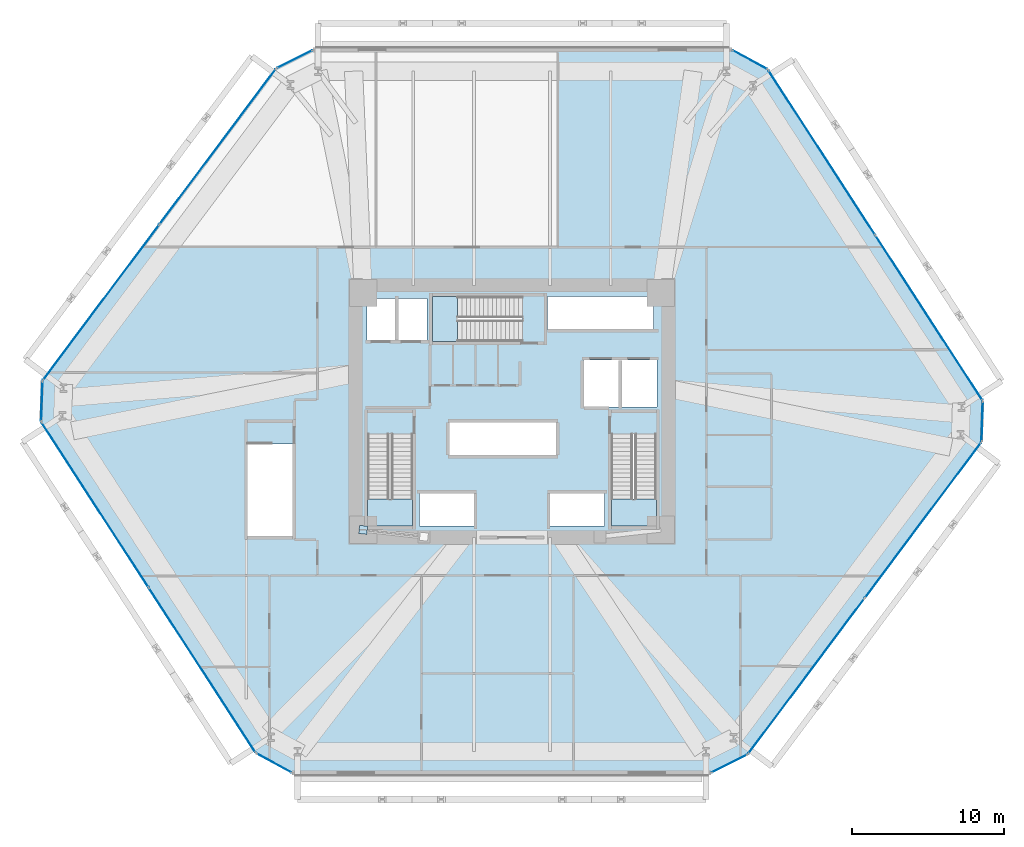
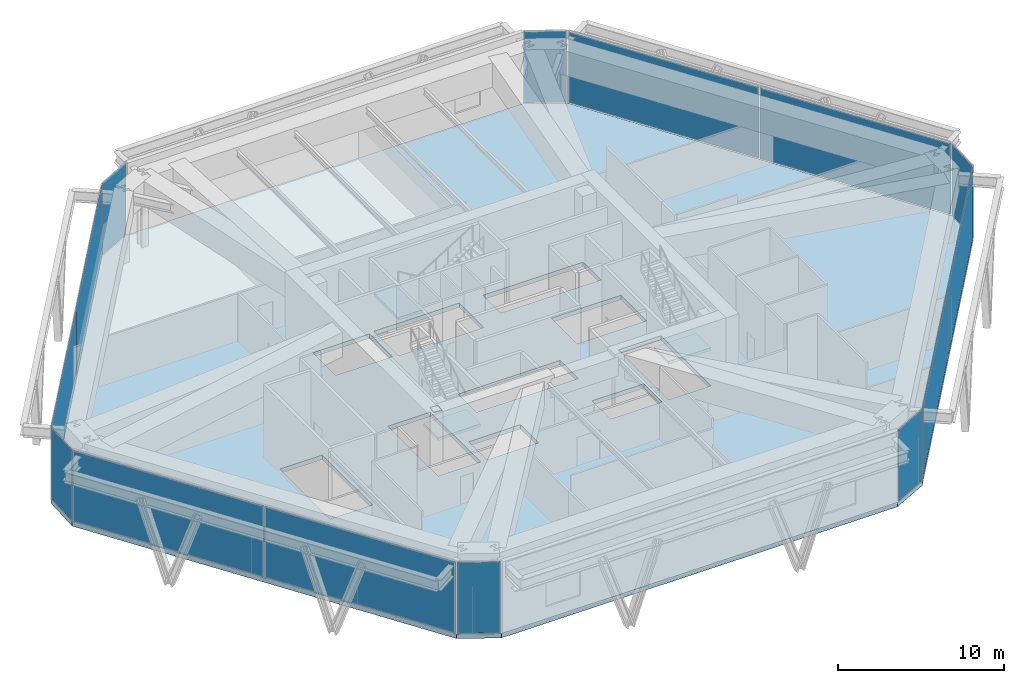
# One storey, part 12 of 19: 15 plates, 4 slabs, 13 elements without a shape of their own.
"""IFC4 building model written with IfcOpenShell, lengths in metres."""

from ifc_helpers import new_model, si_unit, direction, frame, origin, origin_2d, place, context, subcontext, project, spatial, polyline, rectangle, outline, extrude, source, transform, mapped, material, layer, layer_set, type_object, type_shapes, element, aggregate, save


model = new_model("IFC4")

# Units and contexts
model_context = context("Model", 3, precision=1e-05, world=origin(), true_north=direction((0.0, 1.0)))
body_context = subcontext(model_context, "Body", "Model", "MODEL_VIEW")
ifc_project = project(units=[si_unit("LENGTHUNIT", "METRE"), si_unit("AREAUNIT", "SQUARE_METRE"), si_unit("VOLUMEUNIT", "CUBIC_METRE"), si_unit("PLANEANGLEUNIT", "RADIAN"), si_unit("MASSUNIT", "GRAM", prefix="KILO")], contexts=[model_context])

# Site, building, storey
site_placement = place(None, origin())
site = spatial("IfcSite", under=ifc_project, at=site_placement, CompositionType="ELEMENT")
building_placement = place(site_placement, origin())
building = spatial("IfcBuilding", under=site, at=building_placement, Name="Durnholm Broadcast Tower", CompositionType="ELEMENT")
storey_placement = place(building_placement, frame((0.0, 0.0, 26.800048828125)))
storey = spatial("IfcBuildingStorey", under=building, at=storey_placement, Name="L05", CompositionType="ELEMENT", Elevation=26.800048828125)

# Slab
ifc_material_1 = material(Name="Concrete C50/60", Category="concrete")
ifc_layer_1 = layer(ifc_material_1, 0.320068359375)
ifc_layer_set_1 = layer_set([ifc_layer_1], Name="Concrete C50/60")
slab_type_1 = type_object("IfcSlabType", Name="SLAB-FLR-320", PredefinedType="FLOOR", material=ifc_layer_set_1)
slab_1_placement = place(storey_placement, frame((0.0, 0.0, -0.320068359375)))
element("IfcSlab", 1, at=slab_1_placement, inside=storey, type_object=slab_type_1, Name="L05 structural floor slab", PredefinedType="FLOOR", context=body_context, shape_type="SweptSolid", body=[
    extrude(outline(polyline([(-16.847412109375, -22.510986328125), (-14.47509765625, -23.800048828125), (13.102783203125, -23.800048828125), (15.51708984375, -22.59130859375), (30.913818359375, -2.01708984375), (31.00439453125, 0.681396484375), (16.847412109375, 22.510986328125), (14.47509765625, 23.800048828125), (-13.102783203125, 23.800048828125), (-15.51708984375, 22.59130859375), (-30.913818359375, 2.01708984375), (-31.00439453125, -0.681396484375), (-16.847412109375, -22.510986328125)]), holes=[polyline([(-2.5, -5.35009765625), (-6.10009765625, -5.35009765625), (-6.10009765625, -7.550048828125), (-2.5, -7.550048828125), (-2.5, -5.35009765625)]), polyline([(6.10009765625, -5.35009765625), (2.5, -5.35009765625), (2.5, -7.550048828125), (6.10009765625, -7.550048828125), (6.10009765625, -5.35009765625)]), polyline([(-14.43994140625, -8.199951171875), (-14.43994140625, -2.14990234375), (-17.39990234375, -2.14990234375), (-17.39990234375, -8.199951171875), (-14.43994140625, -8.199951171875)]), polyline([(-9.5, -7.550048828125), (-6.5400390625, -7.550048828125), (-6.5400390625, -1.5), (-9.5, -1.5), (-9.5, -7.550048828125)]), polyline([(6.5400390625, -7.550048828125), (9.5, -7.550048828125), (9.5, -1.5), (6.5400390625, -1.5), (6.5400390625, -7.550048828125)]), polyline([(2.949951171875, -0.699951171875), (-4.14990234375, -0.699951171875), (-4.14990234375, -2.89990234375), (2.949951171875, -2.89990234375), (2.949951171875, -0.699951171875)]), polyline([(9.550048828125, 3.39990234375), (4.699951171875, 3.39990234375), (4.699951171875, 0.300048828125), (9.550048828125, 0.300048828125), (9.550048828125, 3.39990234375)]), polyline([(-5.60009765625, 7.449951171875), (-9.550048828125, 7.449951171875), (-9.550048828125, 4.699951171875), (-5.60009765625, 4.699951171875), (-5.60009765625, 7.449951171875)]), polyline([(-5.25, 7.56005859375), (-5.25, 4.60009765625), (0.699951171875, 4.60009765625), (0.699951171875, 7.56005859375), (-5.25, 7.56005859375)]), polyline([(9.31005859375, 5.39990234375), (9.31005859375, 7.550048828125), (2.35009765625, 7.550048828125), (2.35009765625, 5.39990234375), (9.31005859375, 5.39990234375)])]), origin(), (0.0, 0.0, 1.0), 0.320068359375),
])

# Stair, slab
stair_type = type_object("IfcStairType", Name="STAIR-DL-32R1750", PredefinedType="HALF_TURN_STAIR", material=ifc_material_1)
stair_1_placement = place(storey_placement, origin())
stair_1 = element("IfcStair", 2, at=stair_1_placement, inside=storey, type_object=stair_type, Name="L05 ST-1", PredefinedType="HALF_TURN_STAIR")
ifc_layer_2 = layer(ifc_material_1, 0.199951171875)
ifc_layer_set_2 = layer_set([ifc_layer_2], Name="Concrete C50/60")
slab_type_2 = type_object("IfcSlabType", Name="SLAB-LND-200", PredefinedType="LANDING", material=ifc_layer_set_2)
slab_2_placement = place(storey_placement, frame((0.0, 0.0, 2.599853515625)))
slab_2 = element("IfcSlab", 3, at=slab_2_placement, type_object=slab_type_2, Name="ST-1 landing 1", PredefinedType="LANDING", context=body_context, shape_type="SweptSolid", body=[
    extrude(outline(polyline([(-9.5, -5.77490234375), (-9.5, -7.550048828125), (-6.5400390625, -7.550048828125), (-6.5400390625, -5.77490234375), (-9.5, -5.77490234375)])), origin(), (0.0, 0.0, 1.0), 0.2001953125),
])
aggregate(stair_1, [slab_2])

stair_2_placement = place(storey_placement, origin())
stair_2 = element("IfcStair", 4, at=stair_2_placement, inside=storey, type_object=stair_type, Name="L05 ST-2", PredefinedType="HALF_TURN_STAIR")
slab_3_placement = place(storey_placement, frame((0.0, 0.0, 2.599853515625)))
slab_3 = element("IfcSlab", 5, at=slab_3_placement, type_object=slab_type_2, Name="ST-2 landing 1", PredefinedType="LANDING", context=body_context, shape_type="SweptSolid", body=[
    extrude(outline(polyline([(6.5400390625, -5.77490234375), (6.5400390625, -7.550048828125), (9.5, -7.550048828125), (9.5, -5.77490234375), (6.5400390625, -5.77490234375)])), origin(), (0.0, 0.0, 1.0), 0.2001953125),
])
aggregate(stair_2, [slab_3])

stair_3_placement = place(storey_placement, origin())
stair_3 = element("IfcStair", 6, at=stair_3_placement, inside=storey, type_object=stair_type, Name="L05 ST-3", PredefinedType="HALF_TURN_STAIR")
slab_4_placement = place(storey_placement, frame((0.0, 0.0, 2.599853515625)))
slab_4 = element("IfcSlab", 7, at=slab_4_placement, type_object=slab_type_2, Name="ST-3 landing 1", PredefinedType="LANDING", context=body_context, shape_type="SweptSolid", body=[
    extrude(outline(polyline([(-3.574951171875, 7.56005859375), (-5.25, 7.56005859375), (-5.25, 4.60009765625), (-3.574951171875, 4.60009765625), (-3.574951171875, 7.56005859375)])), origin(), (0.0, 0.0, 1.0), 0.2001953125),
])
aggregate(stair_3, [slab_4])

# Plate
ifc_material_2 = material(Name="Steel ASTM A572 Grade 50", Category="steel")
ifc_layer_3 = layer(ifc_material_2, 0.0400390625)
ifc_layer_set_3 = layer_set([ifc_layer_3], Name="Steel ASTM A572 Grade 50")
plate_type_1 = type_object("IfcPlateType", Name="PLT-KN-CAP", PredefinedType="USERDEFINED", material=ifc_layer_set_3)
shared_shape_1 = source(origin(), body_context, "Body", "SweptSolid", [
    extrude(rectangle(XDim=0.5400390625, YDim=0.5400390625, at=origin_2d()), origin(), (0.0, 0.0, 1.0), 0.0400390625),
])
type_shapes(plate_type_1, [shared_shape_1])
plate_1_placement = place(storey_placement, frame((-9.800048828125, -7.800048828125, 5.171142578125), z_axis=(0.0, 0.0, 1.0), x_axis=(-0.99372894862, 0.111815815852, 0.0)))
element("IfcPlate", 8, at=plate_1_placement, inside=storey, type_object=plate_type_1, Name="L05 hollow section end cap plate STL-STG-L05-1 2", ObjectType="CAP_PLATE", PredefinedType="USERDEFINED", context=body_context, shape_type="MappedRepresentation", body=[
    mapped(shared_shape_1, transform((0.0, 0.0, 0.0), x_axis=(1.0, 0.0, 0.0), y_axis=(0.0, 1.0, 0.0), z_axis=(0.0, 0.0, 1.0), scale=1.0)),
])

# Curtain wall, plate
ifc_material_3 = material(Name="Aluminium and Solar Control IGU", Category="aluminium")
ifc_layer_4 = layer(ifc_material_3, 0.1650390625)
ifc_layer_set_4 = layer_set([ifc_layer_4], Name="Aluminium and Solar Control IGU")
curtain_wall_type_1 = type_object("IfcCurtainWallType", Name="CW-SYS-5", PredefinedType="NOTDEFINED", material=ifc_layer_set_4)
curtain_wall_1_placement = place(storey_placement, origin())
curtain_wall_1 = element("IfcCurtainWall", 9, at=curtain_wall_1_placement, inside=storey, type_object=curtain_wall_type_1, Name="L05 curtain wall CW-CORNER CW-L05-CRN-01", PredefinedType="NOTDEFINED")
ifc_material_4 = material(Name="Low-E Laminated Insulating Glass", Category="glass")
ifc_layer_5 = layer(ifc_material_4, 0.030029296875)
ifc_layer_set_5 = layer_set([ifc_layer_5], Name="Low-E Laminated Insulating Glass")
plate_type_2 = type_object("IfcPlateType", Name="CW-SYS-5-PNL", PredefinedType="CURTAIN_PANEL", material=ifc_layer_set_5)
shared_shape_2 = source(origin(), body_context, "Body", "SweptSolid", [
    extrude(rectangle(XDim=2.56982421875, YDim=0.030029296875, at=origin_2d()), origin(), (0.0, 0.0, 1.0), 5.22998046875),
])
plate_2_placement = place(storey_placement, frame((-30.959228515625, 0.66796875, 0.06494140625), z_axis=(0.0, 0.0, 1.0), x_axis=(0.033556543118, 0.999436820621, 0.0)))
plate_2 = element("IfcPlate", 10, at=plate_2_placement, type_object=plate_type_2, Name="CW-CORNER panel 1.1", PredefinedType="CURTAIN_PANEL", context=body_context, shape_type="MappedRepresentation", body=[
    mapped(shared_shape_2, transform((0.0, 0.0, 0.0), x_axis=(1.0, 0.0, 0.0), y_axis=(0.0, 1.0, 0.0), z_axis=(0.0, 0.0, 1.0), scale=1.0)),
])
aggregate(curtain_wall_1, [plate_2])

curtain_wall_2_placement = place(storey_placement, origin())
curtain_wall_2 = element("IfcCurtainWall", 11, at=curtain_wall_2_placement, inside=storey, type_object=curtain_wall_type_1, Name="L05 curtain wall CW-CORNER CW-L05-CRN-07", PredefinedType="NOTDEFINED")
plate_3_placement = place(storey_placement, frame((30.959228515625, -0.66796875, 0.06494140625), z_axis=(0.0, 0.0, 1.0), x_axis=(-0.033556543118, -0.999436820621, 0.0)))
plate_3 = element("IfcPlate", 12, at=plate_3_placement, type_object=plate_type_2, Name="CW-CORNER panel 1.1", PredefinedType="CURTAIN_PANEL", context=body_context, shape_type="MappedRepresentation", body=[
    mapped(shared_shape_2, transform((0.0, 0.0, 0.0), x_axis=(1.0, 0.0, 0.0), y_axis=(0.0, 1.0, 0.0), z_axis=(0.0, 0.0, 1.0), scale=1.0)),
])
aggregate(curtain_wall_2, [plate_3])

# Curtain wall, plates
ifc_layer_6 = layer(ifc_material_3, 0.219970703125)
ifc_layer_set_6 = layer_set([ifc_layer_6], Name="Aluminium and Solar Control IGU")
curtain_wall_type_2 = type_object("IfcCurtainWallType", Name="CW-SYS-2", PredefinedType="NOTDEFINED", material=ifc_layer_set_6)
curtain_wall_3_placement = place(storey_placement, origin())
curtain_wall_3 = element("IfcCurtainWall", 13, at=curtain_wall_3_placement, inside=storey, type_object=curtain_wall_type_2, Name="L05 curtain wall CW-STUDIO CW-L05-F02", PredefinedType="NOTDEFINED")
ifc_layer_7 = layer(ifc_material_4, 0.0400390625)
ifc_layer_set_7 = layer_set([ifc_layer_7], Name="Low-E Laminated Insulating Glass")
plate_type_3 = type_object("IfcPlateType", Name="CW-SYS-2-PNL", PredefinedType="CURTAIN_PANEL", material=ifc_layer_set_7)
shared_shape_3 = source(origin(), body_context, "Body", "SweptSolid", [
    extrude(rectangle(XDim=12.736328125, YDim=0.0400390625, at=origin_2d()), origin(), (0.0, 0.0, 1.0), 5.2099609375),
])
plate_4_placement = place(storey_placement, frame((-27.053466796875, 7.17578125, 0.074951171875), z_axis=(0.0, 0.0, 1.0), x_axis=(0.59915662615, 0.800631836327, 0.0)))
plate_4 = element("IfcPlate", 14, at=plate_4_placement, type_object=plate_type_3, Name="CW-STUDIO panel 1.1", PredefinedType="CURTAIN_PANEL", context=body_context, shape_type="MappedRepresentation", body=[
    mapped(shared_shape_3, transform((0.0, 0.0, 0.0), x_axis=(1.0, 0.0, 0.0), y_axis=(0.0, 1.0, 0.0), z_axis=(0.0, 0.0, 1.0), scale=1.0)),
])
plate_5_placement = place(storey_placement, frame((-19.37744140625, 17.4326171875, 0.074951171875), z_axis=(0.0, 0.0, 1.0), x_axis=(0.59915662615, 0.800631836327, 0.0)))
plate_5 = element("IfcPlate", 15, at=plate_5_placement, type_object=plate_type_3, Name="CW-STUDIO panel 2.1", PredefinedType="CURTAIN_PANEL", context=body_context, shape_type="MappedRepresentation", body=[
    mapped(shared_shape_3, transform((0.0, 0.0, 0.0), x_axis=(1.0, 0.0, 0.0), y_axis=(0.0, 1.0, 0.0), z_axis=(0.0, 0.0, 1.0), scale=1.0)),
])
aggregate(curtain_wall_3, [plate_4, plate_5])

curtain_wall_4_placement = place(storey_placement, origin())
curtain_wall_4 = element("IfcCurtainWall", 16, at=curtain_wall_4_placement, inside=storey, type_object=curtain_wall_type_2, Name="L05 curtain wall CW-STUDIO CW-L05-F08", PredefinedType="NOTDEFINED")
plate_6_placement = place(storey_placement, frame((27.053466796875, -7.17578125, 0.074951171875), z_axis=(0.0, 0.0, 1.0), x_axis=(-0.59915662615, -0.800631836327, 0.0)))
plate_6 = element("IfcPlate", 17, at=plate_6_placement, type_object=plate_type_3, Name="CW-STUDIO panel 1.1", PredefinedType="CURTAIN_PANEL", context=body_context, shape_type="MappedRepresentation", body=[
    mapped(shared_shape_3, transform((0.0, 0.0, 0.0), x_axis=(1.0, 0.0, 0.0), y_axis=(0.0, 1.0, 0.0), z_axis=(0.0, 0.0, 1.0), scale=1.0)),
])
plate_7_placement = place(storey_placement, frame((19.37744140625, -17.4326171875, 0.074951171875), z_axis=(0.0, 0.0, 1.0), x_axis=(-0.59915662615, -0.800631836327, 0.0)))
plate_7 = element("IfcPlate", 18, at=plate_7_placement, type_object=plate_type_3, Name="CW-STUDIO panel 2.1", PredefinedType="CURTAIN_PANEL", context=body_context, shape_type="MappedRepresentation", body=[
    mapped(shared_shape_3, transform((0.0, 0.0, 0.0), x_axis=(1.0, 0.0, 0.0), y_axis=(0.0, 1.0, 0.0), z_axis=(0.0, 0.0, 1.0), scale=1.0)),
])
aggregate(curtain_wall_4, [plate_6, plate_7])

# Curtain wall, plate
curtain_wall_5_placement = place(storey_placement, origin())
curtain_wall_5 = element("IfcCurtainWall", 19, at=curtain_wall_5_placement, inside=storey, type_object=curtain_wall_type_1, Name="L05 curtain wall CW-CORNER CW-L05-CRN-03", PredefinedType="NOTDEFINED")
shared_shape_4 = source(origin(), body_context, "Body", "SweptSolid", [
    extrude(rectangle(XDim=2.570068359375, YDim=0.030029296875, at=origin_2d()), origin(), (0.0, 0.0, 1.0), 5.22998046875),
])
type_shapes(plate_type_2, [shared_shape_2, shared_shape_4])
plate_8_placement = place(storey_placement, frame((-14.31005859375, 23.195556640625, 0.06494140625), z_axis=(0.0, 0.0, 1.0), x_axis=(0.894197440313, 0.447672802098, 0.0)))
plate_8 = element("IfcPlate", 20, at=plate_8_placement, type_object=plate_type_2, Name="CW-CORNER panel 1.1", PredefinedType="CURTAIN_PANEL", context=body_context, shape_type="MappedRepresentation", body=[
    mapped(shared_shape_4, transform((0.0, 0.0, 0.0), x_axis=(1.0, 0.0, 0.0), y_axis=(0.0, 1.0, 0.0), z_axis=(0.0, 0.0, 1.0), scale=1.0)),
])
aggregate(curtain_wall_5, [plate_8])

curtain_wall_6_placement = place(storey_placement, origin())
curtain_wall_6 = element("IfcCurtainWall", 21, at=curtain_wall_6_placement, inside=storey, type_object=curtain_wall_type_1, Name="L05 curtain wall CW-CORNER CW-L05-CRN-05", PredefinedType="NOTDEFINED")
plate_9_placement = place(storey_placement, frame((15.661376953125, 23.155517578125, 0.06494140625), z_axis=(0.0, 0.0, 1.0), x_axis=(0.878663016429, -0.477442460995, 0.0)))
plate_9 = element("IfcPlate", 22, at=plate_9_placement, type_object=plate_type_2, Name="CW-CORNER panel 1.1", PredefinedType="CURTAIN_PANEL", context=body_context, shape_type="MappedRepresentation", body=[
    mapped(shared_shape_4, transform((0.0, 0.0, 0.0), x_axis=(1.0, 0.0, 0.0), y_axis=(0.0, 1.0, 0.0), z_axis=(0.0, 0.0, 1.0), scale=1.0)),
])
aggregate(curtain_wall_6, [plate_9])

curtain_wall_7_placement = place(storey_placement, origin())
curtain_wall_7 = element("IfcCurtainWall", 23, at=curtain_wall_7_placement, inside=storey, type_object=curtain_wall_type_1, Name="L05 curtain wall CW-CORNER CW-L05-CRN-09", PredefinedType="NOTDEFINED")
plate_10_placement = place(storey_placement, frame((14.31005859375, -23.195556640625, 0.06494140625), z_axis=(0.0, 0.0, 1.0), x_axis=(-0.894197440313, -0.447672802098, 0.0)))
plate_10 = element("IfcPlate", 24, at=plate_10_placement, type_object=plate_type_2, Name="CW-CORNER panel 1.1", PredefinedType="CURTAIN_PANEL", context=body_context, shape_type="MappedRepresentation", body=[
    mapped(shared_shape_4, transform((0.0, 0.0, 0.0), x_axis=(1.0, 0.0, 0.0), y_axis=(0.0, 1.0, 0.0), z_axis=(0.0, 0.0, 1.0), scale=1.0)),
])
aggregate(curtain_wall_7, [plate_10])

curtain_wall_8_placement = place(storey_placement, origin())
curtain_wall_8 = element("IfcCurtainWall", 25, at=curtain_wall_8_placement, inside=storey, type_object=curtain_wall_type_1, Name="L05 curtain wall CW-CORNER CW-L05-CRN-11", PredefinedType="NOTDEFINED")
plate_11_placement = place(storey_placement, frame((-15.661376953125, -23.155517578125, 0.06494140625), z_axis=(0.0, 0.0, 1.0), x_axis=(-0.878663016429, 0.477442460995, 0.0)))
plate_11 = element("IfcPlate", 26, at=plate_11_placement, type_object=plate_type_2, Name="CW-CORNER panel 1.1", PredefinedType="CURTAIN_PANEL", context=body_context, shape_type="MappedRepresentation", body=[
    mapped(shared_shape_4, transform((0.0, 0.0, 0.0), x_axis=(1.0, 0.0, 0.0), y_axis=(0.0, 1.0, 0.0), z_axis=(0.0, 0.0, 1.0), scale=1.0)),
])
aggregate(curtain_wall_8, [plate_11])

# Curtain wall, plates
curtain_wall_9_placement = place(storey_placement, origin())
curtain_wall_9 = element("IfcCurtainWall", 27, at=curtain_wall_9_placement, inside=storey, type_object=curtain_wall_type_2, Name="L05 curtain wall CW-STUDIO CW-L05-F06", PredefinedType="NOTDEFINED")
shared_shape_5 = source(origin(), body_context, "Body", "SweptSolid", [
    extrude(rectangle(XDim=12.896728515625, YDim=0.0400390625, at=origin_2d()), origin(), (0.0, 0.0, 1.0), 5.2099609375),
])
type_shapes(plate_type_3, [shared_shape_3, shared_shape_5])
plate_12_placement = place(storey_placement, frame((20.39697265625, 17.037841796875, 0.074951171875), z_axis=(0.0, 0.0, 1.0), x_axis=(0.544116964926, -0.839009373297, 0.0)))
plate_12 = element("IfcPlate", 28, at=plate_12_placement, type_object=plate_type_3, Name="CW-STUDIO panel 1.1", PredefinedType="CURTAIN_PANEL", context=body_context, shape_type="MappedRepresentation", body=[
    mapped(shared_shape_5, transform((0.0, 0.0, 0.0), x_axis=(1.0, 0.0, 0.0), y_axis=(0.0, 1.0, 0.0), z_axis=(0.0, 0.0, 1.0), scale=1.0)),
])
plate_13_placement = place(storey_placement, frame((27.455078125, 6.154541015625, 0.074951171875), z_axis=(0.0, 0.0, 1.0), x_axis=(0.544116964926, -0.839009373297, 0.0)))
plate_13 = element("IfcPlate", 29, at=plate_13_placement, type_object=plate_type_3, Name="CW-STUDIO panel 2.1", PredefinedType="CURTAIN_PANEL", context=body_context, shape_type="MappedRepresentation", body=[
    mapped(shared_shape_5, transform((0.0, 0.0, 0.0), x_axis=(1.0, 0.0, 0.0), y_axis=(0.0, 1.0, 0.0), z_axis=(0.0, 0.0, 1.0), scale=1.0)),
])
aggregate(curtain_wall_9, [plate_12, plate_13])

curtain_wall_10_placement = place(storey_placement, origin())
curtain_wall_10 = element("IfcCurtainWall", 30, at=curtain_wall_10_placement, inside=storey, type_object=curtain_wall_type_2, Name="L05 curtain wall CW-STUDIO CW-L05-F12", PredefinedType="NOTDEFINED")
plate_14_placement = place(storey_placement, frame((-20.39697265625, -17.037841796875, 0.074951171875), z_axis=(0.0, 0.0, 1.0), x_axis=(-0.544116964926, 0.839009373297, 0.0)))
plate_14 = element("IfcPlate", 31, at=plate_14_placement, type_object=plate_type_3, Name="CW-STUDIO panel 1.1", PredefinedType="CURTAIN_PANEL", context=body_context, shape_type="MappedRepresentation", body=[
    mapped(shared_shape_5, transform((0.0, 0.0, 0.0), x_axis=(1.0, 0.0, 0.0), y_axis=(0.0, 1.0, 0.0), z_axis=(0.0, 0.0, 1.0), scale=1.0)),
])
plate_15_placement = place(storey_placement, frame((-27.455078125, -6.154541015625, 0.074951171875), z_axis=(0.0, 0.0, 1.0), x_axis=(-0.544116964926, 0.839009373297, 0.0)))
plate_15 = element("IfcPlate", 32, at=plate_15_placement, type_object=plate_type_3, Name="CW-STUDIO panel 2.1", PredefinedType="CURTAIN_PANEL", context=body_context, shape_type="MappedRepresentation", body=[
    mapped(shared_shape_5, transform((0.0, 0.0, 0.0), x_axis=(1.0, 0.0, 0.0), y_axis=(0.0, 1.0, 0.0), z_axis=(0.0, 0.0, 1.0), scale=1.0)),
])
aggregate(curtain_wall_10, [plate_14, plate_15])

save(model, "model.ifc")
